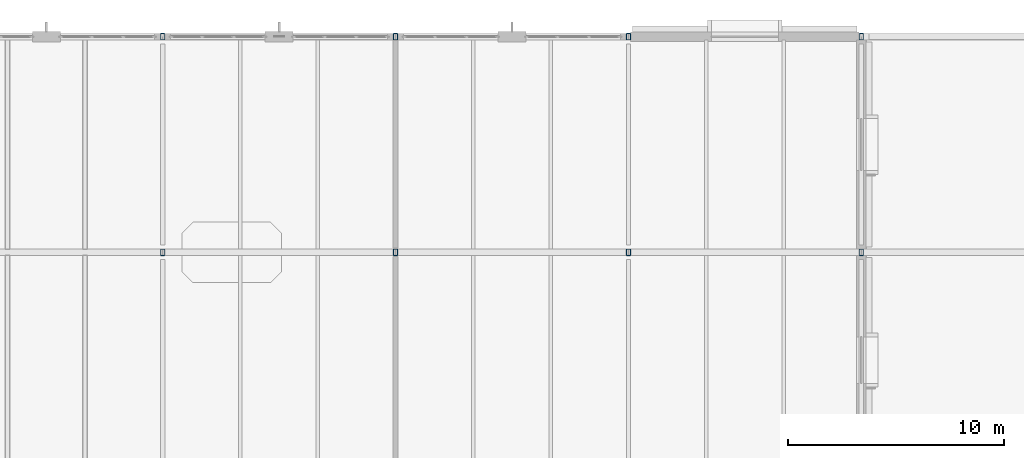
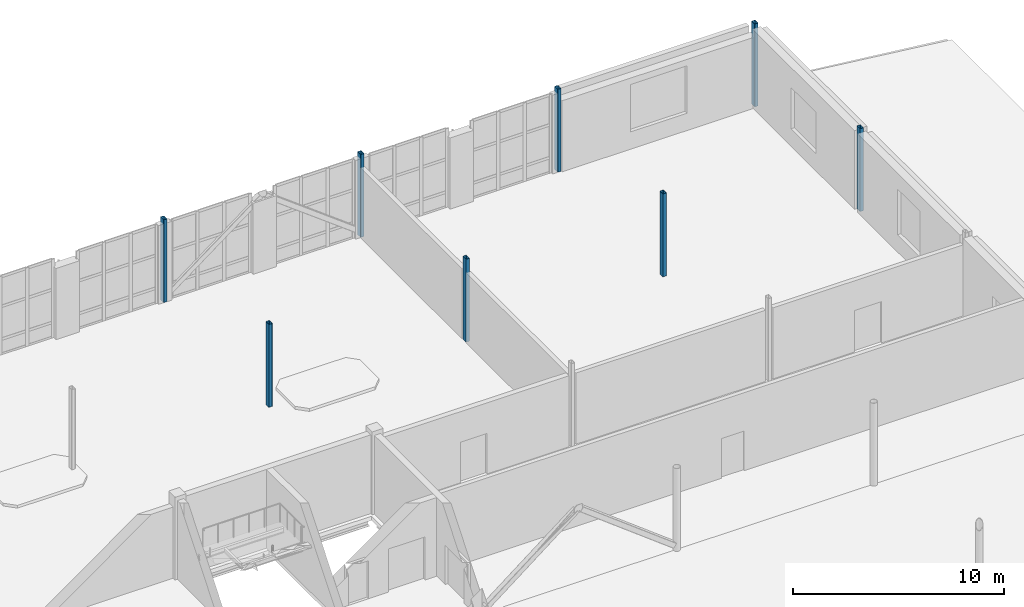
# One storey, part 12 of 100: 8 columns.
"""IFC4 building model written with IfcOpenShell, lengths in metres."""

import ifcopenshell
import ifcopenshell.guid

model = None  # the IFC model being written
_history = None  # IfcOwnerHistory: only IFC2X3 demands one
_inside = {}  # id of a spatial element -> (the spatial element, [elements in it])
_under = {}  # id of a project, library or spatial element -> (it, [spatial elements below it])
_declared = {}  # id of a project -> (the project, [libraries it declares])
_typed = {}  # id of a type object -> (the type object, [elements of that type])
_made_of = {}  # id of a material, layer set ... -> (it, [elements and type objects made of it])


def new_model(schema):
    """Start an empty IFC model of exactly this schema.

    Asked for "IFC4X3", IfcOpenShell would pick the latest addendum, in which some entities
    have other attributes; the version numbers below select the first issue.
    IFC2X3 requires an IfcOwnerHistory on every rooted entity: one is made here for all.
    """
    global model, _history
    if schema == "IFC4X3":
        model = ifcopenshell.file(schema_version=(4, 3, 0, 0))
    else:
        model = ifcopenshell.file(schema=schema)
    _inside.clear()
    _under.clear()
    _declared.clear()
    _typed.clear()
    _made_of.clear()
    _history = None
    if model.schema == "IFC2X3":
        org = make("IfcOrganization", Name="unknown")
        user = make(
            "IfcPersonAndOrganization",
            ThePerson=make("IfcPerson", FamilyName="unknown"),
            TheOrganization=org,
        )
        app = make(
            "IfcApplication",
            ApplicationDeveloper=org,
            Version="unknown",
            ApplicationFullName="unknown",
            ApplicationIdentifier="unknown",
        )
        _history = make(
            "IfcOwnerHistory",
            OwningUser=user,
            OwningApplication=app,
            ChangeAction="ADDED",
            CreationDate=0,
        )
    return model


def make(cls, **values):
    """One entity of the class cls with the attributes given. An attribute that is None is left unset."""
    return model.create_entity(
        cls, **{name: value for name, value in values.items() if value is not None}
    )


def rooted(cls, **values):
    """An entity with a GlobalId (a new one), such as an element, a storey or a relation."""
    return make(cls, GlobalId=ifcopenshell.guid.new(), OwnerHistory=_history, **values)


def si_unit(unit_type, name, prefix=None):
    """IfcSIUnit, for example si_unit("LENGTHUNIT", "METRE", prefix="MILLI")."""
    return make("IfcSIUnit", UnitType=unit_type, Prefix=prefix, Name=name)


def assignment(units):
    """IfcUnitAssignment: the units of a project."""
    return None if units is None else make("IfcUnitAssignment", Units=units)


def point(xyz):
    """IfcCartesianPoint."""
    return None if xyz is None else make("IfcCartesianPoint", Coordinates=xyz)


def direction(xyz):
    """IfcDirection."""
    return None if xyz is None else make("IfcDirection", DirectionRatios=xyz)


def frame(location, z_axis=None, x_axis=None):
    """IfcAxis2Placement3D, a coordinate frame: its origin and axes. An axis left out is left unset."""
    return make(
        "IfcAxis2Placement3D",
        Location=point(location),
        Axis=direction(z_axis),
        RefDirection=direction(x_axis),
    )


def frame_2d(location, x_axis=None):
    """IfcAxis2Placement2D, a coordinate frame in the plane: its origin and x axis."""
    return make(
        "IfcAxis2Placement2D", Location=point(location), RefDirection=direction(x_axis)
    )


def origin():
    """The frame at (0, 0, 0) with its axes left unset."""
    return frame((0.0, 0.0, 0.0))


def origin_2d():
    """The frame at (0, 0) in the plane with its x axis left unset."""
    return frame_2d((0.0, 0.0))


def place(relative_to, where):
    """IfcLocalPlacement: puts the frame where relative to a parent placement (None: the world)."""
    return make(
        "IfcLocalPlacement", PlacementRelTo=relative_to, RelativePlacement=where
    )


def context(
    kind, dimensions, precision=None, world=None, true_north=None, identifier=None
):
    """IfcGeometricRepresentationContext, for example the 3D "Model" context."""
    return make(
        "IfcGeometricRepresentationContext",
        ContextIdentifier=identifier,
        ContextType=kind,
        CoordinateSpaceDimension=dimensions,
        Precision=precision,
        WorldCoordinateSystem=world,
        TrueNorth=true_north,
    )


def subcontext(parent, identifier, kind, view, scale=None):
    """IfcGeometricRepresentationSubContext, for example "Body" below "Model"."""
    return make(
        "IfcGeometricRepresentationSubContext",
        ContextIdentifier=identifier,
        ContextType=kind,
        ParentContext=parent,
        TargetScale=scale,
        TargetView=view,
    )


def project(units=None, contexts=None):
    """IfcProject with its units and contexts."""
    return rooted(
        "IfcProject",
        Name="project",
        RepresentationContexts=contexts,
        UnitsInContext=assignment(units),
    )


def spatial(cls, under=None, at=None, **own):
    """A site, building, storey or space (cls), placed at a placement, below another one or the project."""
    s = rooted(cls, ObjectPlacement=at, **own)
    if under is not None:
        _under.setdefault(under.id(), (under, []))[1].append(s)
    return s


def profile(cls, at=None, kind="AREA", **sizes):
    """A parametric profile (cls). Its sizes go by their IFC names, for example OverallWidth=200.0."""
    return make(cls, ProfileType=kind, Position=at, **sizes)


def hollow_rectangle(**sizes):
    """IfcRectangleHollowProfileDef."""
    return profile("IfcRectangleHollowProfileDef", **sizes)


def extrude(swept, where, along, depth):
    """IfcExtrudedAreaSolid: the profile swept, set in the frame where, extruded along a direction by depth."""
    return make(
        "IfcExtrudedAreaSolid",
        SweptArea=swept,
        Position=where,
        ExtrudedDirection=direction(along),
        Depth=depth,
    )


def shape(context_of_items, identifier, shape_type, items):
    """IfcShapeRepresentation: the items that make up one representation, for example the "Body"."""
    return make(
        "IfcShapeRepresentation",
        ContextOfItems=context_of_items,
        RepresentationIdentifier=identifier,
        RepresentationType=shape_type,
        Items=items,
    )


def material(Name=None, Category=None):
    """IfcMaterial."""
    return make("IfcMaterial", Name=Name, Category=Category)


def material_profile(
    of_material, cross_section, Name=None, Category=None, Priority=None
):
    """IfcMaterialProfile: a cross section and its material."""
    return make(
        "IfcMaterialProfile",
        Name=Name,
        Material=of_material,
        Profile=cross_section,
        Priority=Priority,
        Category=Category,
    )


def profile_set(profiles, Name=None, composite=None):
    """IfcMaterialProfileSet."""
    return make(
        "IfcMaterialProfileSet",
        Name=Name,
        MaterialProfiles=profiles,
        CompositeProfile=composite,
    )


def made_of(thing, what):
    """Note that an element or type object is made of a material, layer set ...; save() writes the relation."""
    if what is not None:
        _made_of.setdefault(what.id(), (what, []))[1].append(thing)
    return thing


def type_object(cls, material=None, **own):
    """A type object (cls), such as IfcWallType, which elements share."""
    return made_of(rooted(cls, **own), material)


def element(
    cls,
    number,
    at=None,
    inside=None,
    cuts=None,
    type_object=None,
    material=None,
    context=None,
    identifier="Body",
    shape_type=None,
    held_by="IfcProductDefinitionShape",
    body=None,
    shapes=None,
    **own,
):
    """One element of the class cls, such as IfcWall. Its Tag is "e" and its number.

    at: its placement. inside: the storey or other place that contains it. cuts: it is an
    opening in that element (IfcRelVoidsElement). A single representation is given by context,
    identifier, shape_type and body (its items); several are given by shapes. held_by: the class
    of the entity that holds the representations. save() writes the other relations.
    """
    e = rooted(cls, Tag="e%d" % number, ObjectPlacement=at, **own)
    if body is not None:
        shapes = [shape(context, identifier, shape_type, body)]
    if shapes is not None:
        e.Representation = make(held_by, Representations=shapes)
    if inside is not None:
        _inside.setdefault(inside.id(), (inside, []))[1].append(e)
    if cuts is not None:
        rooted(
            "IfcRelVoidsElement", RelatingBuildingElement=cuts, RelatedOpeningElement=e
        )
    if type_object is not None:
        _typed.setdefault(type_object.id(), (type_object, []))[1].append(e)
    return made_of(e, material)


def aggregate(whole, parts):
    """IfcRelAggregates: a whole, such as a stair, and the parts it consists of."""
    return rooted("IfcRelAggregates", RelatingObject=whole, RelatedObjects=parts)


def save(model, path):
    """Write the relations noted so far, then the file.

    IfcRelAggregates (storeys below a building ...), IfcRelContainedInSpatialStructure (elements
    in a storey), IfcRelDefinesByType, IfcRelAssociatesMaterial and IfcRelDeclares: one each for
    every whole, place, type object, material and project.
    """
    for whole, parts in _under.values():
        aggregate(whole, parts)
    for where, things in _inside.values():
        rooted(
            "IfcRelContainedInSpatialStructure",
            RelatedElements=things,
            RelatingStructure=where,
        )
    for kind, things in _typed.values():
        rooted("IfcRelDefinesByType", RelatedObjects=things, RelatingType=kind)
    for what, things in _made_of.values():
        rooted("IfcRelAssociatesMaterial", RelatedObjects=things, RelatingMaterial=what)
    for by, libraries in _declared.values():
        rooted("IfcRelDeclares", RelatingContext=by, RelatedDefinitions=libraries)
    model.write(path)


model = new_model("IFC4")

# Units and contexts
model_context = context("Model", 3, precision=1e-05, world=origin(), true_north=direction((0.0, 1.0)))
body_context = subcontext(model_context, "Body", "Model", "MODEL_VIEW")
ifc_project = project(units=[si_unit("LENGTHUNIT", "METRE"), si_unit("AREAUNIT", "SQUARE_METRE"), si_unit("VOLUMEUNIT", "CUBIC_METRE"), si_unit("PLANEANGLEUNIT", "RADIAN"), si_unit("MASSUNIT", "GRAM", prefix="KILO")], contexts=[model_context])

# Site, building, storey
site_placement = place(None, origin())
site = spatial("IfcSite", under=ifc_project, at=site_placement, CompositionType="ELEMENT")
building_placement = place(site_placement, origin())
building = spatial("IfcBuilding", under=site, at=building_placement, Name="Tasgan Crest Museum", CompositionType="ELEMENT")
storey_placement = place(building_placement, frame((0.0, 0.0, 9.60009765625)))
storey = spatial("IfcBuildingStorey", under=building, at=storey_placement, Name="L02", CompositionType="ELEMENT", Elevation=9.60009765625)

# Columns
ifc_material = material(Name="Steel S355K2", Category="steel")
ifc_material_profile = material_profile(ifc_material, hollow_rectangle(XDim=0.199951171875, YDim=0.300048828125, WallThickness=0.012451171875, InnerFilletRadius=0.012451171875, OuterFilletRadius=0.02490234375, at=origin_2d()), Name="RHS 300x200x12.5")
ifc_profile_set = profile_set([ifc_material_profile], Name="Steel S355K2")
column_type = type_object("IfcColumnType", Name="COL-RHS300", PredefinedType="COLUMN", material=ifc_profile_set)
for number, where, z_axis, x_axis, name in (
    (1, (64.800048828125, 102.0, 0.0), (0.0, 0.0, 1.0), (1.0, 0.0, 0.0), "Column 7/L L02"),
    (2, (64.800048828125, 112.0, 0.0), (0.0, 0.0, 1.0), (1.0, 0.0, 0.0), "Column 7/M L02"),
    (3, (75.60009765625, 102.0, 0.0), (0.0, 0.0, 1.0), (1.0, 0.0, 0.0), "Column 8/L L02"),
    (4, (75.60009765625, 112.0, 0.0), (0.0, 0.0, 1.0), (1.0, 0.0, 0.0), "Column 8/M L02"),
    (5, (86.39990234375, 102.0, 0.0), (0.0, 0.0, 1.0), (1.0, 0.0, 0.0), "Column 9/L L02"),
    (6, (86.39990234375, 112.0, 0.0), (0.0, 0.0, 1.0), (1.0, 0.0, 0.0), "Column 9/M L02"),
    (7, (97.199951171875, 102.0, 0.0), (0.0, 0.0, 1.0), (1.0, 0.0, 0.0), "Column 10/L L02"),
    (8, (97.199951171875, 112.0, 0.0), (0.0, 0.0, 1.0), (1.0, 0.0, 0.0), "Column 10/M L02"),
):
    element("IfcColumn", number, at=place(storey_placement, frame(where, z_axis=z_axis, x_axis=x_axis)), inside=storey, type_object=column_type, Name=name, PredefinedType="COLUMN", context=body_context, shape_type="SweptSolid", body=[
        extrude(hollow_rectangle(XDim=0.199951171875, YDim=0.300048828125, WallThickness=0.012451171875, InnerFilletRadius=0.012451171875, OuterFilletRadius=0.02490234375, at=origin_2d()), origin(), (0.0, 0.0, 1.0), 4.7998046875),
    ])

save(model, "model.ifc")
